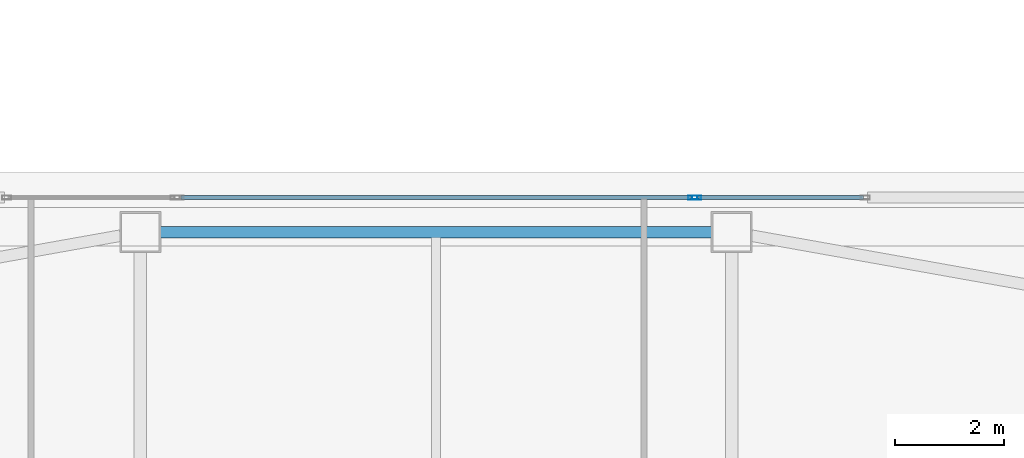
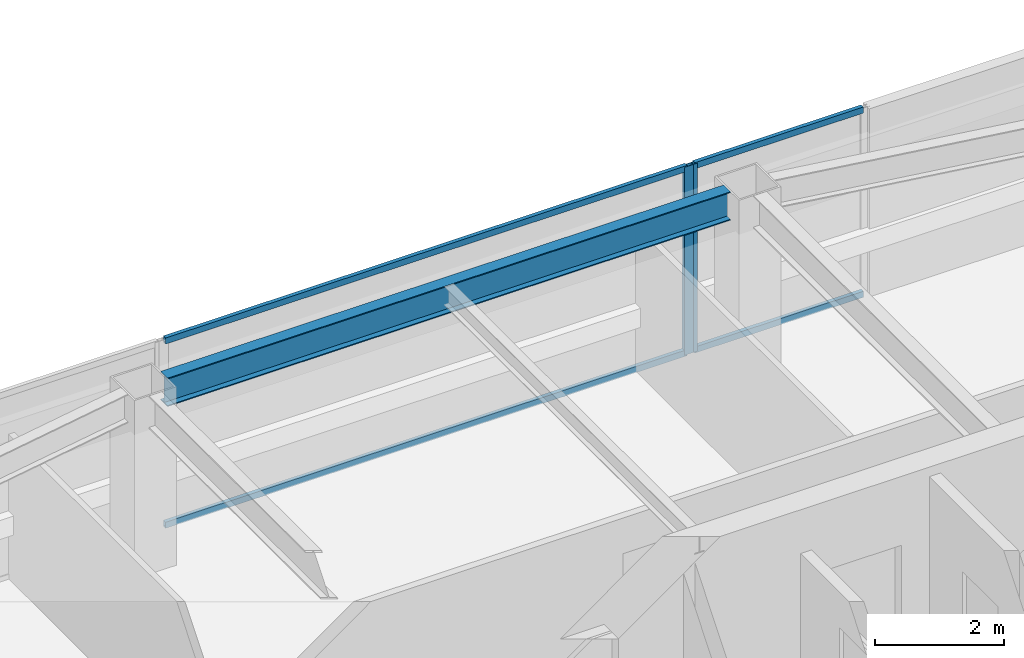
# One storey, part 14 of 40: 6 members, 1 beam, 2 elements without a shape of their own.
"""IFC4 building model written with IfcOpenShell, lengths in metres."""

from ifc_helpers import new_model, si_unit, direction, frame, origin, origin_2d, place, context, subcontext, project, spatial, hollow_rectangle, i_section, extrude, material, material_profile, profile_set, type_object, element, aggregate, save


model = new_model("IFC4")

# Units and contexts
model_context = context("Model", 3, precision=1e-05, world=origin(), true_north=direction((0.0, 1.0)))
body_context = subcontext(model_context, "Body", "Model", "MODEL_VIEW")
ifc_project = project(units=[si_unit("LENGTHUNIT", "METRE"), si_unit("AREAUNIT", "SQUARE_METRE"), si_unit("VOLUMEUNIT", "CUBIC_METRE"), si_unit("PLANEANGLEUNIT", "RADIAN"), si_unit("MASSUNIT", "GRAM", prefix="KILO")], contexts=[model_context])

# Site, building, storey
site_placement = place(None, origin())
site = spatial("IfcSite", under=ifc_project, at=site_placement, CompositionType="ELEMENT")
building_placement = place(site_placement, origin())
building = spatial("IfcBuilding", under=site, at=building_placement, Name="Tashvorn Skyway Center", CompositionType="ELEMENT")
storey_placement = place(building_placement, frame((0.0, 0.0, 221.949951171875)))
storey = spatial("IfcBuildingStorey", under=building, at=storey_placement, Name="L60", CompositionType="ELEMENT", Elevation=221.949951171875)

# Beam
ifc_material_1 = material(Name="Steel ASTM A992 Grade 50", Category="steel")
ifc_material_profile_1 = material_profile(ifc_material_1, i_section(OverallWidth=0.2109375, OverallDepth=0.5390625, WebThickness=0.01171875, FlangeThickness=0.018798828125, at=origin_2d()), Name="W21X73")
ifc_profile_set_1 = profile_set([ifc_material_profile_1], Name="Steel ASTM A992 Grade 50")
beam_type = type_object("IfcBeamType", Name="BM-SPANDREL-W21X73", PredefinedType="SPANDREL", material=ifc_profile_set_1)
beam_placement = place(storey_placement, frame((47.030029296875, 47.64990234375, 3.1005859375), z_axis=(-1.0, 0.0, 0.0), x_axis=(0.0, -1.0, 0.0)))
element("IfcBeam", 1, at=beam_placement, inside=storey, type_object=beam_type, Name="Tower 1 L60 Spandrel Beam 08", PredefinedType="SPANDREL", context=body_context, shape_type="SweptSolid", body=[
    extrude(i_section(OverallWidth=0.2109375, OverallDepth=0.5390625, WebThickness=0.01171875, FlangeThickness=0.018798828125, at=origin_2d()), origin(), (0.0, 0.0, 1.0), 10.06005859375),
])

# Curtain wall, member
ifc_material_2 = material(Name="Thermally broken bronze-anodized aluminium 6063-T6", Category="aluminium")
curtain_wall_type = type_object("IfcCurtainWallType", Name="CW-CW-Z5", PredefinedType="NOTDEFINED", material=ifc_material_2)
curtain_wall_1_placement = place(storey_placement, origin())
curtain_wall_1 = element("IfcCurtainWall", 2, at=curtain_wall_1_placement, inside=storey, type_object=curtain_wall_type, Name="Tower 1 L60 North Unitised Curtain Wall Glazing Group 2", PredefinedType="NOTDEFINED")
ifc_material_profile_2 = material_profile(ifc_material_2, hollow_rectangle(XDim=0.070068359375, YDim=0.1650390625, WallThickness=0.00390625, at=origin_2d()), Name="ALU-MULL-70x165")
ifc_profile_set_2 = profile_set([ifc_material_profile_2], Name="Thermally broken bronze-anodized aluminium 6063-T6")
member_type_1 = type_object("IfcMemberType", Name="CWM-CW-Z5", PredefinedType="MULLION", material=ifc_profile_set_2)
member_1_placement = place(storey_placement, frame((46.691650390625, 48.280029296875, 0.0), z_axis=(0.0, 0.0, 1.0), x_axis=(0.0, 1.0, 0.0)))
member_1 = element("IfcMember", 3, at=member_1_placement, type_object=member_type_1, Name="CW-Z5 mullion 2", PredefinedType="MULLION", context=body_context, shape_type="SweptSolid", body=[
    extrude(hollow_rectangle(XDim=0.070068359375, YDim=0.1650390625, WallThickness=0.00390625, at=origin_2d()), origin(), (0.0, 0.0, 1.0), 3.550048828125),
])

curtain_wall_2_placement = place(storey_placement, origin())
curtain_wall_2 = element("IfcCurtainWall", 4, at=curtain_wall_2_placement, inside=storey, type_object=curtain_wall_type, Name="Tower 1 L60 North Unitised Curtain Wall Glazing Group 3", PredefinedType="NOTDEFINED")
member_2_placement = place(storey_placement, frame((46.76171875, 48.280029296875, 0.0), z_axis=(0.0, 0.0, 1.0), x_axis=(0.0, 1.0, 0.0)))
member_2 = element("IfcMember", 5, at=member_2_placement, type_object=member_type_1, Name="CW-Z5 mullion 1", PredefinedType="MULLION", context=body_context, shape_type="SweptSolid", body=[
    extrude(hollow_rectangle(XDim=0.070068359375, YDim=0.1650390625, WallThickness=0.00390625, at=origin_2d()), origin(), (0.0, 0.0, 1.0), 3.550048828125),
])

# Member
ifc_material_profile_3 = material_profile(ifc_material_2, hollow_rectangle(XDim=0.070068359375, YDim=0.114990234375, WallThickness=0.00390625, at=origin_2d()), Name="ALU-TRAN-70x115")
ifc_profile_set_3 = profile_set([ifc_material_profile_3], Name="Thermally broken bronze-anodized aluminium 6063-T6")
member_type_2 = type_object("IfcMemberType", Name="CWT-CW-Z5", PredefinedType="USERDEFINED", material=ifc_profile_set_3)
member_3_placement = place(storey_placement, frame((37.34326171875, 48.280029296875, 0.03515625), z_axis=(1.0, 0.0, 0.0), x_axis=(0.0, 1.0, 0.0)))
member_3 = element("IfcMember", 6, at=member_3_placement, type_object=member_type_2, Name="CW-Z5 transom 1.1", ObjectType="TRANSOM", PredefinedType="USERDEFINED", context=body_context, shape_type="SweptSolid", body=[
    extrude(hollow_rectangle(XDim=0.070068359375, YDim=0.114990234375, WallThickness=0.00390625, at=origin_2d()), origin(), (0.0, 0.0, 1.0), 9.3134765625),
])

member_4_placement = place(storey_placement, frame((37.34326171875, 48.280029296875, 3.51513671875), z_axis=(1.0, 0.0, 0.0), x_axis=(0.0, 1.0, 0.0)))
member_4 = element("IfcMember", 7, at=member_4_placement, type_object=member_type_2, Name="CW-Z5 transom 1.2", ObjectType="TRANSOM", PredefinedType="USERDEFINED", context=body_context, shape_type="SweptSolid", body=[
    extrude(hollow_rectangle(XDim=0.070068359375, YDim=0.114990234375, WallThickness=0.00390625, at=origin_2d()), origin(), (0.0, 0.0, 1.0), 9.3134765625),
])

aggregate(curtain_wall_1, [member_1, member_3, member_4])

member_5_placement = place(storey_placement, frame((46.796630859375, 48.280029296875, 0.03515625), z_axis=(1.0, 0.0, 0.0), x_axis=(0.0, 1.0, 0.0)))
member_5 = element("IfcMember", 8, at=member_5_placement, type_object=member_type_2, Name="CW-Z5 transom 1.1", ObjectType="TRANSOM", PredefinedType="USERDEFINED", context=body_context, shape_type="SweptSolid", body=[
    extrude(hollow_rectangle(XDim=0.070068359375, YDim=0.114990234375, WallThickness=0.00390625, at=origin_2d()), origin(), (0.0, 0.0, 1.0), 3.01123046875),
])

member_6_placement = place(storey_placement, frame((46.796630859375, 48.280029296875, 3.51513671875), z_axis=(1.0, 0.0, 0.0), x_axis=(0.0, 1.0, 0.0)))
member_6 = element("IfcMember", 9, at=member_6_placement, type_object=member_type_2, Name="CW-Z5 transom 1.2", ObjectType="TRANSOM", PredefinedType="USERDEFINED", context=body_context, shape_type="SweptSolid", body=[
    extrude(hollow_rectangle(XDim=0.070068359375, YDim=0.114990234375, WallThickness=0.00390625, at=origin_2d()), origin(), (0.0, 0.0, 1.0), 3.01123046875),
])

aggregate(curtain_wall_2, [member_2, member_5, member_6])

save(model, "model.ifc")
